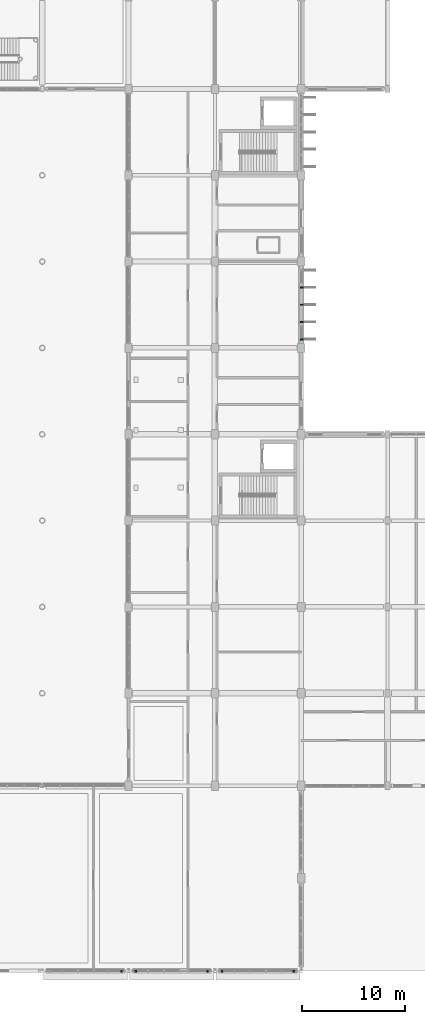
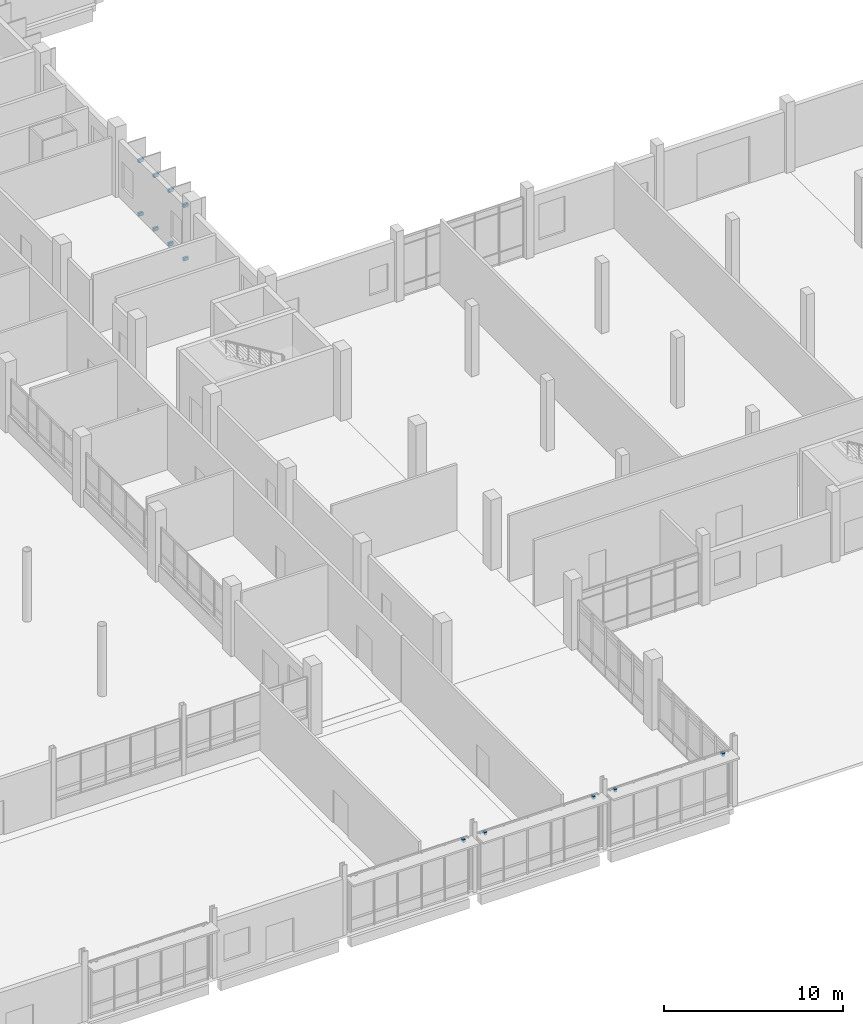
# One storey, part 86 of 95: 13 discrete accessories.
"""IFC4 building model written with IfcOpenShell, lengths in metres."""

import ifcopenshell
import ifcopenshell.guid

model = None  # the IFC model being written
_history = None  # IfcOwnerHistory: only IFC2X3 demands one
_inside = {}  # id of a spatial element -> (the spatial element, [elements in it])
_under = {}  # id of a project, library or spatial element -> (it, [spatial elements below it])
_declared = {}  # id of a project -> (the project, [libraries it declares])
_typed = {}  # id of a type object -> (the type object, [elements of that type])
_made_of = {}  # id of a material, layer set ... -> (it, [elements and type objects made of it])


def new_model(schema):
    """Start an empty IFC model of exactly this schema.

    Asked for "IFC4X3", IfcOpenShell would pick the latest addendum, in which some entities
    have other attributes; the version numbers below select the first issue.
    IFC2X3 requires an IfcOwnerHistory on every rooted entity: one is made here for all.
    """
    global model, _history
    if schema == "IFC4X3":
        model = ifcopenshell.file(schema_version=(4, 3, 0, 0))
    else:
        model = ifcopenshell.file(schema=schema)
    _inside.clear()
    _under.clear()
    _declared.clear()
    _typed.clear()
    _made_of.clear()
    _history = None
    if model.schema == "IFC2X3":
        org = make("IfcOrganization", Name="unknown")
        user = make(
            "IfcPersonAndOrganization",
            ThePerson=make("IfcPerson", FamilyName="unknown"),
            TheOrganization=org,
        )
        app = make(
            "IfcApplication",
            ApplicationDeveloper=org,
            Version="unknown",
            ApplicationFullName="unknown",
            ApplicationIdentifier="unknown",
        )
        _history = make(
            "IfcOwnerHistory",
            OwningUser=user,
            OwningApplication=app,
            ChangeAction="ADDED",
            CreationDate=0,
        )
    return model


def make(cls, **values):
    """One entity of the class cls with the attributes given. An attribute that is None is left unset."""
    return model.create_entity(
        cls, **{name: value for name, value in values.items() if value is not None}
    )


def rooted(cls, **values):
    """An entity with a GlobalId (a new one), such as an element, a storey or a relation."""
    return make(cls, GlobalId=ifcopenshell.guid.new(), OwnerHistory=_history, **values)


def si_unit(unit_type, name, prefix=None):
    """IfcSIUnit, for example si_unit("LENGTHUNIT", "METRE", prefix="MILLI")."""
    return make("IfcSIUnit", UnitType=unit_type, Prefix=prefix, Name=name)


def assignment(units):
    """IfcUnitAssignment: the units of a project."""
    return None if units is None else make("IfcUnitAssignment", Units=units)


def point(xyz):
    """IfcCartesianPoint."""
    return None if xyz is None else make("IfcCartesianPoint", Coordinates=xyz)


def direction(xyz):
    """IfcDirection."""
    return None if xyz is None else make("IfcDirection", DirectionRatios=xyz)


def frame(location, z_axis=None, x_axis=None):
    """IfcAxis2Placement3D, a coordinate frame: its origin and axes. An axis left out is left unset."""
    return make(
        "IfcAxis2Placement3D",
        Location=point(location),
        Axis=direction(z_axis),
        RefDirection=direction(x_axis),
    )


def frame_2d(location, x_axis=None):
    """IfcAxis2Placement2D, a coordinate frame in the plane: its origin and x axis."""
    return make(
        "IfcAxis2Placement2D", Location=point(location), RefDirection=direction(x_axis)
    )


def origin():
    """The frame at (0, 0, 0) with its axes left unset."""
    return frame((0.0, 0.0, 0.0))


def origin_2d():
    """The frame at (0, 0) in the plane with its x axis left unset."""
    return frame_2d((0.0, 0.0))


def place(relative_to, where):
    """IfcLocalPlacement: puts the frame where relative to a parent placement (None: the world)."""
    return make(
        "IfcLocalPlacement", PlacementRelTo=relative_to, RelativePlacement=where
    )


def context(
    kind, dimensions, precision=None, world=None, true_north=None, identifier=None
):
    """IfcGeometricRepresentationContext, for example the 3D "Model" context."""
    return make(
        "IfcGeometricRepresentationContext",
        ContextIdentifier=identifier,
        ContextType=kind,
        CoordinateSpaceDimension=dimensions,
        Precision=precision,
        WorldCoordinateSystem=world,
        TrueNorth=true_north,
    )


def subcontext(parent, identifier, kind, view, scale=None):
    """IfcGeometricRepresentationSubContext, for example "Body" below "Model"."""
    return make(
        "IfcGeometricRepresentationSubContext",
        ContextIdentifier=identifier,
        ContextType=kind,
        ParentContext=parent,
        TargetScale=scale,
        TargetView=view,
    )


def project(units=None, contexts=None):
    """IfcProject with its units and contexts."""
    return rooted(
        "IfcProject",
        Name="project",
        RepresentationContexts=contexts,
        UnitsInContext=assignment(units),
    )


def spatial(cls, under=None, at=None, **own):
    """A site, building, storey or space (cls), placed at a placement, below another one or the project."""
    s = rooted(cls, ObjectPlacement=at, **own)
    if under is not None:
        _under.setdefault(under.id(), (under, []))[1].append(s)
    return s


def profile(cls, at=None, kind="AREA", **sizes):
    """A parametric profile (cls). Its sizes go by their IFC names, for example OverallWidth=200.0."""
    return make(cls, ProfileType=kind, Position=at, **sizes)


def rectangle(**sizes):
    """IfcRectangleProfileDef."""
    return profile("IfcRectangleProfileDef", **sizes)


def extrude(swept, where, along, depth):
    """IfcExtrudedAreaSolid: the profile swept, set in the frame where, extruded along a direction by depth."""
    return make(
        "IfcExtrudedAreaSolid",
        SweptArea=swept,
        Position=where,
        ExtrudedDirection=direction(along),
        Depth=depth,
    )


def shape(context_of_items, identifier, shape_type, items):
    """IfcShapeRepresentation: the items that make up one representation, for example the "Body"."""
    return make(
        "IfcShapeRepresentation",
        ContextOfItems=context_of_items,
        RepresentationIdentifier=identifier,
        RepresentationType=shape_type,
        Items=items,
    )


def material(Name=None, Category=None):
    """IfcMaterial."""
    return make("IfcMaterial", Name=Name, Category=Category)


def made_of(thing, what):
    """Note that an element or type object is made of a material, layer set ...; save() writes the relation."""
    if what is not None:
        _made_of.setdefault(what.id(), (what, []))[1].append(thing)
    return thing


def type_object(cls, material=None, **own):
    """A type object (cls), such as IfcWallType, which elements share."""
    return made_of(rooted(cls, **own), material)


def element(
    cls,
    number,
    at=None,
    inside=None,
    cuts=None,
    type_object=None,
    material=None,
    context=None,
    identifier="Body",
    shape_type=None,
    held_by="IfcProductDefinitionShape",
    body=None,
    shapes=None,
    **own,
):
    """One element of the class cls, such as IfcWall. Its Tag is "e" and its number.

    at: its placement. inside: the storey or other place that contains it. cuts: it is an
    opening in that element (IfcRelVoidsElement). A single representation is given by context,
    identifier, shape_type and body (its items); several are given by shapes. held_by: the class
    of the entity that holds the representations. save() writes the other relations.
    """
    e = rooted(cls, Tag="e%d" % number, ObjectPlacement=at, **own)
    if body is not None:
        shapes = [shape(context, identifier, shape_type, body)]
    if shapes is not None:
        e.Representation = make(held_by, Representations=shapes)
    if inside is not None:
        _inside.setdefault(inside.id(), (inside, []))[1].append(e)
    if cuts is not None:
        rooted(
            "IfcRelVoidsElement", RelatingBuildingElement=cuts, RelatedOpeningElement=e
        )
    if type_object is not None:
        _typed.setdefault(type_object.id(), (type_object, []))[1].append(e)
    return made_of(e, material)


def aggregate(whole, parts):
    """IfcRelAggregates: a whole, such as a stair, and the parts it consists of."""
    return rooted("IfcRelAggregates", RelatingObject=whole, RelatedObjects=parts)


def save(model, path):
    """Write the relations noted so far, then the file.

    IfcRelAggregates (storeys below a building ...), IfcRelContainedInSpatialStructure (elements
    in a storey), IfcRelDefinesByType, IfcRelAssociatesMaterial and IfcRelDeclares: one each for
    every whole, place, type object, material and project.
    """
    for whole, parts in _under.values():
        aggregate(whole, parts)
    for where, things in _inside.values():
        rooted(
            "IfcRelContainedInSpatialStructure",
            RelatedElements=things,
            RelatingStructure=where,
        )
    for kind, things in _typed.values():
        rooted("IfcRelDefinesByType", RelatedObjects=things, RelatingType=kind)
    for what, things in _made_of.values():
        rooted("IfcRelAssociatesMaterial", RelatedObjects=things, RelatingMaterial=what)
    for by, libraries in _declared.values():
        rooted("IfcRelDeclares", RelatingContext=by, RelatedDefinitions=libraries)
    model.write(path)


model = new_model("IFC4")

# Units and contexts
model_context = context("Model", 3, precision=1e-05, world=origin(), true_north=direction((0.0, 1.0)))
body_context = subcontext(model_context, "Body", "Model", "MODEL_VIEW")
ifc_project = project(units=[si_unit("LENGTHUNIT", "METRE"), si_unit("AREAUNIT", "SQUARE_METRE"), si_unit("VOLUMEUNIT", "CUBIC_METRE"), si_unit("PLANEANGLEUNIT", "RADIAN"), si_unit("MASSUNIT", "GRAM", prefix="KILO")], contexts=[model_context])

# Site, building, storey
site_placement = place(None, origin())
site = spatial("IfcSite", under=ifc_project, at=site_placement, CompositionType="ELEMENT")
building_placement = place(site_placement, origin())
building = spatial("IfcBuilding", under=site, at=building_placement, Name="Vireocrest Preparatory School", CompositionType="ELEMENT")
storey_placement = place(building_placement, origin())
storey = spatial("IfcBuildingStorey", under=building, at=storey_placement, Name="L00", CompositionType="ELEMENT", Elevation=0.0)

# Discrete accessories
ifc_material = material(Name="Structural steel ASTM A572 Grade 50", Category="steel")
discrete_accessory_type = type_object("IfcDiscreteAccessoryType", Name="Slab-Edge Steel Outrigger Fin Bracket", PredefinedType="BRACKET", material=ifc_material)
for number, where, z_axis, x_axis, name in (
    (1, (109.27001953125, 61.43994140625, -0.08984375), (0.0, 0.0, 1.0), (0.0, -1.0, 0.0), "Solar Fin Outrigger Bracket BK1 L00-1-1-BOT"),
    (2, (109.27001953125, 61.43994140625, 3.56982421875), (0.0, 0.0, 1.0), (0.0, -1.0, 0.0), "Solar Fin Outrigger Bracket BK1 L00-1-1-TOP"),
    (3, (109.27001953125, 63.1201171875, -0.08984375), (0.0, 0.0, 1.0), (0.0, -1.0, 0.0), "Solar Fin Outrigger Bracket BK1 L00-1-2-BOT"),
    (4, (109.27001953125, 63.1201171875, 3.56982421875), (0.0, 0.0, 1.0), (0.0, -1.0, 0.0), "Solar Fin Outrigger Bracket BK1 L00-1-2-TOP"),
    (5, (109.27001953125, 64.800048828125, -0.08984375), (0.0, 0.0, 1.0), (0.0, -1.0, 0.0), "Solar Fin Outrigger Bracket BK1 L00-1-3-BOT"),
    (6, (109.27001953125, 64.800048828125, 3.56982421875), (0.0, 0.0, 1.0), (0.0, -1.0, 0.0), "Solar Fin Outrigger Bracket BK1 L00-1-3-TOP"),
    (7, (109.27001953125, 66.47998046875, -0.08984375), (0.0, 0.0, 1.0), (0.0, -1.0, 0.0), "Solar Fin Outrigger Bracket BK1 L00-1-4-BOT"),
    (8, (109.27001953125, 66.47998046875, 3.56982421875), (0.0, 0.0, 1.0), (0.0, -1.0, 0.0), "Solar Fin Outrigger Bracket BK1 L00-1-4-TOP"),
):
    element("IfcDiscreteAccessory", number, at=place(storey_placement, frame(where, z_axis=z_axis, x_axis=x_axis)), inside=storey, type_object=discrete_accessory_type, Name=name, PredefinedType="BRACKET", context=body_context, shape_type="SweptSolid", body=[
        extrude(rectangle(XDim=0.139892578125, YDim=0.300048828125, at=origin_2d()), origin(), (0.0, 0.0, 1.0), 0.219970703125),
    ])
for number, where, z_axis, x_axis, name in (
    (9, (91.697021484375, -0.050048828125, 3.6572265625), (0.0, 0.0, 1.0), (1.0, 0.0, 0.0), "Sunshade Bracket BK1-015E"),
    (10, (93.10302734375, -0.050048828125, 3.6572265625), (0.0, 0.0, 1.0), (1.0, 0.0, 0.0), "Sunshade Bracket BK1-016W"),
    (11, (100.096923828125, -0.050048828125, 3.6572265625), (0.0, 0.0, 1.0), (1.0, 0.0, 0.0), "Sunshade Bracket BK1-016E"),
    (12, (101.5029296875, -0.050048828125, 3.6572265625), (0.0, 0.0, 1.0), (1.0, 0.0, 0.0), "Sunshade Bracket BK1-017W"),
    (13, (108.472412109375, -0.050048828125, 3.6572265625), (0.0, 0.0, 1.0), (1.0, 0.0, 0.0), "Sunshade Bracket BK1-017E"),
):
    element("IfcDiscreteAccessory", number, at=place(storey_placement, frame(where, z_axis=z_axis, x_axis=x_axis)), inside=storey, type_object=discrete_accessory_type, Name=name, PredefinedType="BRACKET", context=body_context, shape_type="SweptSolid", body=[
        extrude(rectangle(XDim=0.159912109375, YDim=0.239990234375, at=origin_2d()), origin(), (0.0, 0.0, 1.0), 0.199951171875),
    ])

save(model, "model.ifc")
